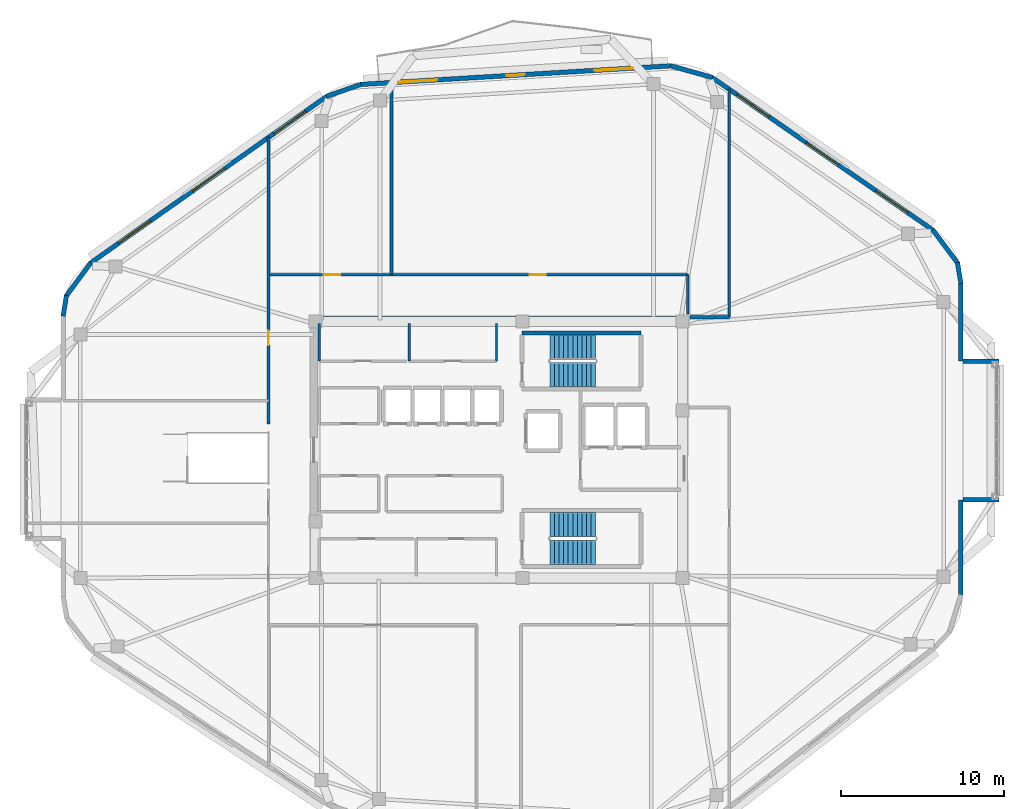
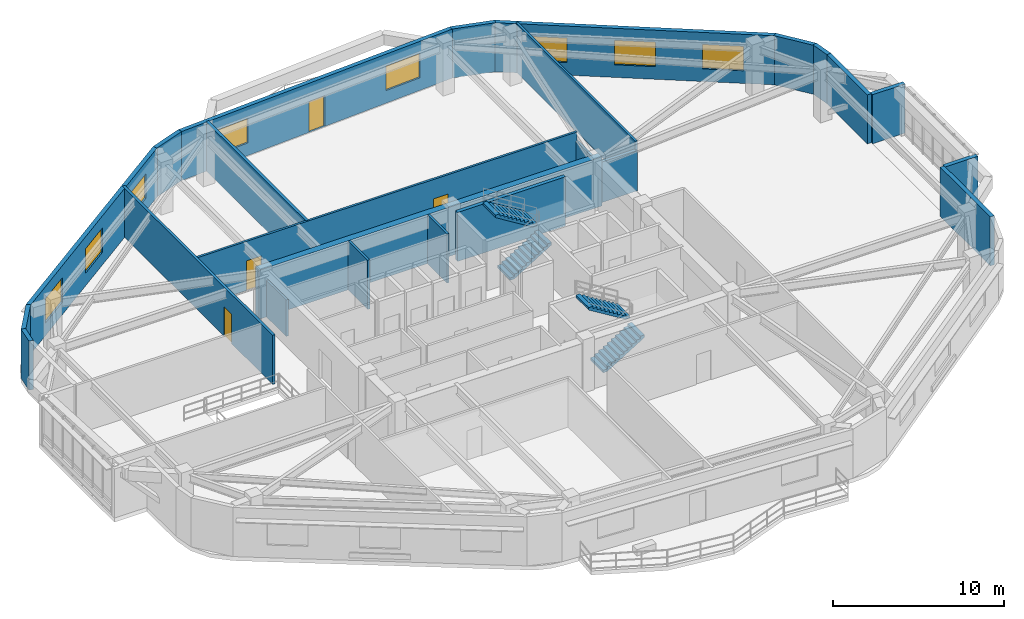
# One storey, part 13 of 16: 24 walls, 8 windows, 4 doors, 4 stair flights, 12 openings, 2 elements without a shape of their own.
"""IFC4 building model written with IfcOpenShell, lengths in metres."""

from ifc_helpers import new_model, si_unit, direction, frame, frame_2d, origin, place, context, subcontext, project, spatial, polyline, rectangle, outline, extrude, material, layer, layer_set, type_object, element, fill, aggregate, save


model = new_model("IFC4")

# Units and contexts
model_context = context("Model", 3, precision=1e-05, world=origin(), true_north=direction((0.0, 1.0)))
body_context = subcontext(model_context, "Body", "Model", "MODEL_VIEW")
ifc_project = project(units=[si_unit("LENGTHUNIT", "METRE"), si_unit("AREAUNIT", "SQUARE_METRE"), si_unit("VOLUMEUNIT", "CUBIC_METRE"), si_unit("PLANEANGLEUNIT", "RADIAN"), si_unit("MASSUNIT", "GRAM", prefix="KILO")], contexts=[model_context])

# Site, building, storey
site_placement = place(None, origin())
site = spatial("IfcSite", under=ifc_project, at=site_placement, CompositionType="ELEMENT")
building_placement = place(site_placement, origin())
building = spatial("IfcBuilding", under=site, at=building_placement, Name="Zulverin Broadcast Headquarters", CompositionType="ELEMENT")
storey_placement = place(building_placement, frame((0.0, 0.0, 228.800048828125)))
storey = spatial("IfcBuildingStorey", under=building, at=storey_placement, Name="L58", CompositionType="ELEMENT", Elevation=228.800048828125)

# Walls
ifc_material_1 = material(Name="Acoustic drywall steel stud", Category="steel")
ifc_layer_1 = layer(ifc_material_1, 0.199951171875, Name="Acoustic drywall steel stud", Category="steel")
ifc_layer_set_1 = layer_set([ifc_layer_1], Name="Acoustic drywall steel stud")
wall_type_1 = type_object("IfcWallType", Name="WL-ACOU-200", PredefinedType="PARTITIONING", material=ifc_layer_set_1)
wall_1_placement = place(storey_placement, frame((30.39990234375, 35.949951171875, 0.0), z_axis=(0.0, 0.0, 1.0), x_axis=(0.0, 1.0, 0.0)))
element("IfcWall", 1, at=wall_1_placement, inside=storey, type_object=wall_type_1, Name="L58 Room Partition Wall RP-06", PredefinedType="PARTITIONING", context=body_context, shape_type="SweptSolid", body=[
    extrude(rectangle(XDim=11.730224609375, YDim=0.199951171875, at=frame_2d((5.865234375, 0.0))), origin(), (0.0, 0.0, 1.0), 3.510009765625),
])
ifc_material_2 = material(Name="Double-stud acoustic drywall", Category="gypsum")
ifc_layer_2 = layer(ifc_material_2, 0.219970703125, Name="Double-stud acoustic drywall", Category="gypsum")
ifc_layer_set_2 = layer_set([ifc_layer_2], Name="Double-stud acoustic drywall")
wall_type_2 = type_object("IfcWallType", Name="WL-ACOU-220", PredefinedType="PARTITIONING", material=ifc_layer_set_2)
wall_2_placement = place(storey_placement, frame((48.739990234375, 33.35009765625, 0.0), z_axis=(0.0, 0.0, 1.0), x_axis=(1.0, 0.0, 0.0)))
element("IfcWall", 2, at=wall_2_placement, inside=storey, type_object=wall_type_2, Name="L58 Room Partition Wall RP-14", PredefinedType="PARTITIONING", context=body_context, shape_type="SweptSolid", body=[
    extrude(rectangle(XDim=2.409912109375, YDim=0.219970703125, at=frame_2d((1.205078125, 0.0))), origin(), (0.0, 0.0, 1.0), 2.892822265625),
])
ifc_material_3 = material(Name="Concrete C50/60", Category="concrete")
ifc_layer_3 = layer(ifc_material_3, 0.449951171875, Name="Concrete C50/60", Category="concrete")
ifc_layer_set_3 = layer_set([ifc_layer_3], Name="Concrete C50/60")
wall_type_3 = type_object("IfcWallType", Name="WL-CORE-450", PredefinedType="SHEAR", material=ifc_layer_set_3)
wall_3_placement = place(storey_placement, frame((25.39990234375, 33.175048828125, 0.0), z_axis=(0.0, 0.0, 1.0), x_axis=(1.0, 0.0, 0.0)))
element("IfcWall", 3, at=wall_3_placement, inside=storey, type_object=wall_type_3, Name="L58 Core North Shear Wall", PredefinedType="SHEAR", context=body_context, shape_type="SweptSolid", body=[
    extrude(rectangle(XDim=23.2001953125, YDim=0.449951171875, at=frame_2d((11.60009765625, 0.0))), origin(), (0.0, 0.0, 1.0), 3.510009765625),
])
ifc_material_4 = material(Name="Insulated pale-metal clad concrete spandrel C40/50", Category="concrete")
ifc_layer_4 = layer(ifc_material_4, 0.280029296875, Name="Insulated pale-metal clad concrete spandrel C40/50", Category="concrete")
ifc_layer_set_4 = layer_set([ifc_layer_4], Name="Insulated pale-metal clad concrete spandrel C40/50")
wall_type_4 = type_object("IfcWallType", Name="WL-EXT-280", PredefinedType="STANDARD", material=ifc_layer_set_4)
wall_4_placement = place(storey_placement, frame((65.360107421875, 16.2578125, 0.0), z_axis=(0.0, 0.0, 1.0), x_axis=(0.0, 1.0, 0.0)))
element("IfcWall", 4, at=wall_4_placement, inside=storey, type_object=wall_type_4, Name="L58 Pale-Metal Clad Flanking Spandrel Wall 3-1", PredefinedType="STANDARD", context=body_context, shape_type="SweptSolid", body=[
    extrude(rectangle(XDim=5.8720703125, YDim=0.280029296875, at=frame_2d((2.93603515625, 0.0))), origin(), (0.0, 0.0, 1.0), 3.510009765625),
])
wall_5_placement = place(storey_placement, frame((65.360107421875, 30.64990234375, 0.0), z_axis=(0.0, 0.0, 1.0), x_axis=(0.0, 1.0, 0.0)))
element("IfcWall", 5, at=wall_5_placement, inside=storey, type_object=wall_type_4, Name="L58 Pale-Metal Clad Flanking Spandrel Wall 3-2", PredefinedType="STANDARD", context=body_context, shape_type="SweptSolid", body=[
    extrude(rectangle(XDim=4.77587890625, YDim=0.280029296875, at=frame_2d((2.387939453125, 0.0))), origin(), (0.0, 0.0, 1.0), 3.510009765625),
])

# Wall, openings, windows
wall_6_placement = place(storey_placement, frame((63.6513671875, 38.683349609375, 0.0), z_axis=(0.0, 0.0, 1.0), x_axis=(-0.822655095, 0.568540759022, 0.0)))
wall_6 = element("IfcWall", 6, at=wall_6_placement, inside=storey, type_object=wall_type_4, Name="L58 Pale-Metal Clad Spandrel Wall 4", PredefinedType="STANDARD", context=body_context, shape_type="SweptSolid", body=[
    extrude(rectangle(XDim=16.52783203125, YDim=0.280029296875, at=frame_2d((8.263916015625, 0.0))), origin(), (0.0, 0.0, 1.0), 3.510009765625),
])
opening_1_placement = place(wall_6_placement, frame((1.887939453125, 0.0, 0.89990234375)))
opening_1 = element("IfcOpeningElement", 7, at=opening_1_placement, cuts=wall_6, Name="Opening W-L58-E41", PredefinedType="OPENING", context=body_context, shape_type="SweptSolid", body=[
    extrude(rectangle(XDim=2.39990234375, YDim=1.75, at=frame_2d((1.199951171875, 0.875))), frame((0.0, 0.14990234375, 0.0), z_axis=(0.0, -1.0, 0.0), x_axis=(1.0, 0.0, 0.0)), (0.0, 0.0, 1.0), 0.300048828125),
])
opening_2_placement = place(wall_6_placement, frame((7.06396484375, 0.0, 0.89990234375)))
opening_2 = element("IfcOpeningElement", 8, at=opening_2_placement, cuts=wall_6, Name="Opening W-L58-E42", PredefinedType="OPENING", context=body_context, shape_type="SweptSolid", body=[
    extrude(rectangle(XDim=2.39990234375, YDim=1.75, at=frame_2d((1.199951171875, 0.875))), frame((0.0, 0.14990234375, 0.0), z_axis=(0.0, -1.0, 0.0), x_axis=(1.0, 0.0, 0.0)), (0.0, 0.0, 1.0), 0.300048828125),
])
opening_3_placement = place(wall_6_placement, frame((12.239990234375, 0.0, 0.89990234375)))
opening_3 = element("IfcOpeningElement", 9, at=opening_3_placement, cuts=wall_6, Name="Opening W-L58-E43", PredefinedType="OPENING", context=body_context, shape_type="SweptSolid", body=[
    extrude(rectangle(XDim=2.39990234375, YDim=1.75, at=frame_2d((1.199951171875, 0.875))), frame((0.0, 0.14990234375, 0.0), z_axis=(0.0, -1.0, 0.0), x_axis=(1.0, 0.0, 0.0)), (0.0, 0.0, 1.0), 0.300048828125),
])
ifc_material_5 = material(Name="Pale anodized aluminium frame with solar-control low-E double glazing", Category="aluminium")
window_type = type_object("IfcWindowType", Name="WIN-RIB-2400", PartitioningType="SINGLE_PANEL", PredefinedType="WINDOW", material=ifc_material_5)
window_1_placement = place(opening_1_placement, origin())
window_1 = element("IfcWindow", 10, at=window_1_placement, inside=storey, type_object=window_type, Name="L58 Ribbon Glazing Window 4 1", OverallHeight=1.75, OverallWidth=2.39990234375, PartitioningType="SINGLE_PANEL", PredefinedType="WINDOW", context=body_context, shape_type="SweptSolid", body=[
    extrude(rectangle(XDim=2.39990234375, YDim=1.75, at=frame_2d((1.199951171875, 0.875))), frame((0.0, 0.030029296875, 0.0), z_axis=(0.0, -1.0, 0.0), x_axis=(1.0, 0.0, 0.0)), (0.0, 0.0, 1.0), 0.06005859375),
])
fill(opening_1, window_1)
window_2_placement = place(opening_2_placement, origin())
window_2 = element("IfcWindow", 11, at=window_2_placement, inside=storey, type_object=window_type, Name="L58 Ribbon Glazing Window 4 2", OverallHeight=1.75, OverallWidth=2.39990234375, PartitioningType="SINGLE_PANEL", PredefinedType="WINDOW", context=body_context, shape_type="SweptSolid", body=[
    extrude(rectangle(XDim=2.39990234375, YDim=1.75, at=frame_2d((1.199951171875, 0.875))), frame((0.0, 0.030029296875, 0.0), z_axis=(0.0, -1.0, 0.0), x_axis=(1.0, 0.0, 0.0)), (0.0, 0.0, 1.0), 0.06005859375),
])
fill(opening_2, window_2)
window_3_placement = place(opening_3_placement, origin())
window_3 = element("IfcWindow", 12, at=window_3_placement, inside=storey, type_object=window_type, Name="L58 Ribbon Glazing Window 4 3", OverallHeight=1.75, OverallWidth=2.39990234375, PartitioningType="SINGLE_PANEL", PredefinedType="WINDOW", context=body_context, shape_type="SweptSolid", body=[
    extrude(rectangle(XDim=2.39990234375, YDim=1.75, at=frame_2d((1.199951171875, 0.875))), frame((0.0, 0.030029296875, 0.0), z_axis=(0.0, -1.0, 0.0), x_axis=(1.0, 0.0, 0.0)), (0.0, 0.0, 1.0), 0.06005859375),
])
fill(opening_3, window_3)

# Wall, openings, door, windows
wall_7_placement = place(storey_placement, frame((47.56591796875, 48.775390625, 0.0), z_axis=(0.0, 0.0, 1.0), x_axis=(-0.998202767485, -0.059926913695, 0.0)))
wall_7 = element("IfcWall", 13, at=wall_7_placement, inside=storey, type_object=wall_type_4, Name="L58 Pale-Metal Clad Spandrel Wall 5", PredefinedType="STANDARD", context=body_context, shape_type="SweptSolid", body=[
    extrude(rectangle(XDim=19.111083984375, YDim=0.280029296875, at=frame_2d((9.5556640625, 0.0))), origin(), (0.0, 0.0, 1.0), 3.510009765625),
])
opening_4_placement = place(wall_7_placement, frame((9.00537109375, 0.0, 0.0)))
opening_4 = element("IfcOpeningElement", 14, at=opening_4_placement, cuts=wall_7, Name="Opening D-L58-TR5", PredefinedType="OPENING", context=body_context, shape_type="SweptSolid", body=[
    extrude(rectangle(XDim=1.10009765625, YDim=2.199951171875, at=frame_2d((0.550048828125, 1.10009765625))), frame((0.0, 0.14990234375, 0.0), z_axis=(0.0, -1.0, 0.0), x_axis=(1.0, 0.0, 0.0)), (0.0, 0.0, 1.0), 0.300048828125),
])
opening_5_placement = place(wall_7_placement, frame((2.318603515625, 0.0, 0.89990234375)))
opening_5 = element("IfcOpeningElement", 15, at=opening_5_placement, cuts=wall_7, Name="Opening W-L58-E51", PredefinedType="OPENING", context=body_context, shape_type="SweptSolid", body=[
    extrude(rectangle(XDim=2.39990234375, YDim=1.75, at=frame_2d((1.199951171875, 0.875))), frame((0.0, 0.14990234375, 0.0), z_axis=(0.0, -1.0, 0.0), x_axis=(1.0, 0.0, 0.0)), (0.0, 0.0, 1.0), 0.300048828125),
])
opening_6_placement = place(wall_7_placement, frame((14.392333984375, 0.0, 0.89990234375)))
opening_6 = element("IfcOpeningElement", 16, at=opening_6_placement, cuts=wall_7, Name="Opening W-L58-E52", PredefinedType="OPENING", context=body_context, shape_type="SweptSolid", body=[
    extrude(rectangle(XDim=2.39990234375, YDim=1.75, at=frame_2d((1.199951171875, 0.875))), frame((0.0, 0.14990234375, 0.0), z_axis=(0.0, -1.0, 0.0), x_axis=(1.0, 0.0, 0.0)), (0.0, 0.0, 1.0), 0.300048828125),
])
ifc_material_6 = material(Name="Thermally broken aluminium glazed", Category="aluminium")
door_type_1 = type_object("IfcDoorType", Name="DR-TERR-1100", OperationType="SINGLE_SWING_RIGHT", PredefinedType="DOOR", material=ifc_material_6)
door_1_placement = place(opening_4_placement, origin())
door_1 = element("IfcDoor", 17, at=door_1_placement, inside=storey, type_object=door_type_1, Name="L58 Planted Terrace Glazed Access Door 5", OperationType="SINGLE_SWING_RIGHT", OverallHeight=2.199951171875, OverallWidth=1.10009765625, PredefinedType="DOOR", context=body_context, shape_type="SweptSolid", body=[
    extrude(rectangle(XDim=1.10009765625, YDim=2.199951171875, at=frame_2d((0.550048828125, 1.10009765625))), frame((0.0, 0.02490234375, 0.0), z_axis=(0.0, -1.0, 0.0), x_axis=(1.0, 0.0, 0.0)), (0.0, 0.0, 1.0), 0.050048828125),
])
fill(opening_4, door_1)
window_4_placement = place(opening_5_placement, origin())
window_4 = element("IfcWindow", 18, at=window_4_placement, inside=storey, type_object=window_type, Name="L58 Ribbon Glazing Window 5 1", OverallHeight=1.75, OverallWidth=2.39990234375, PartitioningType="SINGLE_PANEL", PredefinedType="WINDOW", context=body_context, shape_type="SweptSolid", body=[
    extrude(rectangle(XDim=2.39990234375, YDim=1.75, at=frame_2d((1.199951171875, 0.875))), frame((0.0, 0.030029296875, 0.0), z_axis=(0.0, -1.0, 0.0), x_axis=(1.0, 0.0, 0.0)), (0.0, 0.0, 1.0), 0.06005859375),
])
fill(opening_5, window_4)
window_5_placement = place(opening_6_placement, origin())
window_5 = element("IfcWindow", 19, at=window_5_placement, inside=storey, type_object=window_type, Name="L58 Ribbon Glazing Window 5 2", OverallHeight=1.75, OverallWidth=2.39990234375, PartitioningType="SINGLE_PANEL", PredefinedType="WINDOW", context=body_context, shape_type="SweptSolid", body=[
    extrude(rectangle(XDim=2.39990234375, YDim=1.75, at=frame_2d((1.199951171875, 0.875))), frame((0.0, 0.030029296875, 0.0), z_axis=(0.0, -1.0, 0.0), x_axis=(1.0, 0.0, 0.0)), (0.0, 0.0, 1.0), 0.06005859375),
])
fill(opening_6, window_5)

# Wall, openings, windows
wall_8_placement = place(storey_placement, frame((26.443115234375, 46.91259765625, 0.0), z_axis=(0.0, 0.0, 1.0), x_axis=(-0.817024179766, -0.576603407619, 0.0)))
wall_8 = element("IfcWall", 20, at=wall_8_placement, inside=storey, type_object=wall_type_4, Name="L58 Pale-Metal Clad Spandrel Wall 6", PredefinedType="STANDARD", context=body_context, shape_type="SweptSolid", body=[
    extrude(rectangle(XDim=17.77978515625, YDim=0.280029296875, at=frame_2d((8.889892578125, 0.0))), origin(), (0.0, 0.0, 1.0), 3.510009765625),
])
opening_7_placement = place(wall_8_placement, frame((1.5966796875, 0.0, 0.89990234375)))
opening_7 = element("IfcOpeningElement", 21, at=opening_7_placement, cuts=wall_8, Name="Opening W-L58-E61", PredefinedType="OPENING", context=body_context, shape_type="SweptSolid", body=[
    extrude(rectangle(XDim=2.39990234375, YDim=1.75, at=frame_2d((1.199951171875, 0.875))), frame((0.0, 0.14990234375, 0.0), z_axis=(0.0, -1.0, 0.0), x_axis=(1.0, 0.0, 0.0)), (0.0, 0.0, 1.0), 0.300048828125),
])
opening_8_placement = place(wall_8_placement, frame((7.68994140625, 0.0, 0.89990234375)))
opening_8 = element("IfcOpeningElement", 22, at=opening_8_placement, cuts=wall_8, Name="Opening W-L58-E62", PredefinedType="OPENING", context=body_context, shape_type="SweptSolid", body=[
    extrude(rectangle(XDim=2.39990234375, YDim=1.75, at=frame_2d((1.199951171875, 0.875))), frame((0.0, 0.14990234375, 0.0), z_axis=(0.0, -1.0, 0.0), x_axis=(1.0, 0.0, 0.0)), (0.0, 0.0, 1.0), 0.300048828125),
])
opening_9_placement = place(wall_8_placement, frame((13.283203125, 0.0, 0.89990234375)))
opening_9 = element("IfcOpeningElement", 23, at=opening_9_placement, cuts=wall_8, Name="Opening W-L58-E63", PredefinedType="OPENING", context=body_context, shape_type="SweptSolid", body=[
    extrude(rectangle(XDim=2.39990234375, YDim=1.75, at=frame_2d((1.199951171875, 0.875))), frame((0.0, 0.14990234375, 0.0), z_axis=(0.0, -1.0, 0.0), x_axis=(1.0, 0.0, 0.0)), (0.0, 0.0, 1.0), 0.300048828125),
])
window_6_placement = place(opening_7_placement, origin())
window_6 = element("IfcWindow", 24, at=window_6_placement, inside=storey, type_object=window_type, Name="L58 Ribbon Glazing Window 6 1", OverallHeight=1.75, OverallWidth=2.39990234375, PartitioningType="SINGLE_PANEL", PredefinedType="WINDOW", context=body_context, shape_type="SweptSolid", body=[
    extrude(rectangle(XDim=2.39990234375, YDim=1.75, at=frame_2d((1.199951171875, 0.875))), frame((0.0, 0.030029296875, 0.0), z_axis=(0.0, -1.0, 0.0), x_axis=(1.0, 0.0, 0.0)), (0.0, 0.0, 1.0), 0.06005859375),
])
fill(opening_7, window_6)
window_7_placement = place(opening_8_placement, origin())
window_7 = element("IfcWindow", 25, at=window_7_placement, inside=storey, type_object=window_type, Name="L58 Ribbon Glazing Window 6 2", OverallHeight=1.75, OverallWidth=2.39990234375, PartitioningType="SINGLE_PANEL", PredefinedType="WINDOW", context=body_context, shape_type="SweptSolid", body=[
    extrude(rectangle(XDim=2.39990234375, YDim=1.75, at=frame_2d((1.199951171875, 0.875))), frame((0.0, 0.030029296875, 0.0), z_axis=(0.0, -1.0, 0.0), x_axis=(1.0, 0.0, 0.0)), (0.0, 0.0, 1.0), 0.06005859375),
])
fill(opening_8, window_7)
window_8_placement = place(opening_9_placement, origin())
window_8 = element("IfcWindow", 26, at=window_8_placement, inside=storey, type_object=window_type, Name="L58 Ribbon Glazing Window 6 3", OverallHeight=1.75, OverallWidth=2.39990234375, PartitioningType="SINGLE_PANEL", PredefinedType="WINDOW", context=body_context, shape_type="SweptSolid", body=[
    extrude(rectangle(XDim=2.39990234375, YDim=1.75, at=frame_2d((1.199951171875, 0.875))), frame((0.0, 0.030029296875, 0.0), z_axis=(0.0, -1.0, 0.0), x_axis=(1.0, 0.0, 0.0)), (0.0, 0.0, 1.0), 0.06005859375),
])
fill(opening_9, window_8)

# Walls
wall_9_placement = place(storey_placement, frame((65.36181640625, 35.4033203125, 0.0), z_axis=(0.0, 0.0, 1.0), x_axis=(-0.160271674114, 0.987072940809, 0.0)))
element("IfcWall", 27, at=wall_9_placement, inside=storey, type_object=wall_type_4, Name="L58 Wind-Shaped Corner Spandrel Wall 3-1", PredefinedType="STANDARD", context=body_context, shape_type="SweptSolid", body=[
    extrude(rectangle(XDim=1.314697265625, YDim=0.280029296875, at=frame_2d((0.6572265625, 0.0))), origin(), (0.0, 0.0, 1.0), 3.510009765625),
])
wall_10_placement = place(storey_placement, frame((65.17724609375, 36.63916015625, 0.0), z_axis=(0.0, 0.0, 1.0), x_axis=(-0.600436386467, 0.799672524104, 0.0)))
element("IfcWall", 28, at=wall_10_placement, inside=storey, type_object=wall_type_4, Name="L58 Wind-Shaped Corner Spandrel Wall 3-2", PredefinedType="STANDARD", context=body_context, shape_type="SweptSolid", body=[
    extrude(rectangle(XDim=2.595458984375, YDim=0.280029296875, at=frame_2d((1.2978515625, 0.0))), origin(), (0.0, 0.0, 1.0), 3.510009765625),
])
wall_11_placement = place(storey_placement, frame((50.096435546875, 48.060546875, 0.0), z_axis=(0.0, 0.0, 1.0), x_axis=(-0.963108887091, 0.269112005688, 0.0)))
element("IfcWall", 29, at=wall_11_placement, inside=storey, type_object=wall_type_4, Name="L58 Wind-Shaped Corner Spandrel Wall 4-1", PredefinedType="STANDARD", context=body_context, shape_type="SweptSolid", body=[
    extrude(rectangle(XDim=2.67529296875, YDim=0.280029296875, at=frame_2d((1.337646484375, 0.0))), origin(), (0.0, 0.0, 1.0), 3.510009765625),
])
wall_12_placement = place(storey_placement, frame((28.527099609375, 47.6376953125, 0.0), z_axis=(0.0, 0.0, 1.0), x_axis=(-0.943686979207, -0.330839667022, 0.0)))
element("IfcWall", 30, at=wall_12_placement, inside=storey, type_object=wall_type_4, Name="L58 Wind-Shaped Corner Spandrel Wall 5-1", PredefinedType="STANDARD", context=body_context, shape_type="SweptSolid", body=[
    extrude(rectangle(XDim=2.244873046875, YDim=0.280029296875, at=frame_2d((1.12255859375, 0.0))), origin(), (0.0, 0.0, 1.0), 3.510009765625),
])
wall_13_placement = place(storey_placement, frame((11.948486328125, 36.69189453125, 0.0), z_axis=(0.0, 0.0, 1.0), x_axis=(-0.595170751493, -0.803599263668, 0.0)))
element("IfcWall", 31, at=wall_13_placement, inside=storey, type_object=wall_type_4, Name="L58 Wind-Shaped Corner Spandrel Wall 6-1", PredefinedType="STANDARD", context=body_context, shape_type="SweptSolid", body=[
    extrude(rectangle(XDim=2.56982421875, YDim=0.280029296875, at=frame_2d((1.284912109375, 0.0))), origin(), (0.0, 0.0, 1.0), 3.510009765625),
])
wall_14_placement = place(storey_placement, frame((10.444580078125, 34.68798828125, 0.0), z_axis=(0.0, 0.0, 1.0), x_axis=(-0.158524605336, -0.987355027081, 0.0)))
element("IfcWall", 32, at=wall_14_placement, inside=storey, type_object=wall_type_4, Name="L58 Wind-Shaped Corner Spandrel Wall 6-2", PredefinedType="STANDARD", context=body_context, shape_type="SweptSolid", body=[
    extrude(rectangle(XDim=1.30126953125, YDim=0.280029296875, at=frame_2d((0.650634765625, 0.0))), origin(), (0.0, 0.0, 1.0), 3.510009765625),
])
for number, where, z_axis, x_axis, name in (
    (33, (65.5, 22.1298828125, 0.0), (0.0, 0.0, 1.0), (1.0, 0.0, 0.0), "L58 Shifted Studio Box Cheek Wall SBOX_SKY2_E-S"),
    (34, (65.5, 30.64990234375, 0.0), (0.0, 0.0, 1.0), (1.0, 0.0, 0.0), "L58 Shifted Studio Box Cheek Wall SBOX_SKY2_E-N"),
):
    element("IfcWall", number, at=place(storey_placement, frame(where, z_axis=z_axis, x_axis=x_axis)), inside=storey, type_object=wall_type_4, Name=name, PredefinedType="STANDARD", context=body_context, shape_type="SweptSolid", body=[
        extrude(rectangle(XDim=2.199951171875, YDim=0.280029296875, at=frame_2d((1.10009765625, 0.0))), origin(), (0.0, 0.0, 1.0), 3.510009765625),
    ])
ifc_material_7 = material(Name="Fire-rated gypsum stud partition", Category="gypsum")
ifc_layer_5 = layer(ifc_material_7, 0.14990234375, Name="Fire-rated gypsum stud partition", Category="gypsum")
ifc_layer_set_5 = layer_set([ifc_layer_5], Name="Fire-rated gypsum stud partition")
wall_type_5 = type_object("IfcWallType", Name="WL-PART-150", PredefinedType="PARTITIONING", material=ifc_layer_set_5)
wall_15_placement = place(storey_placement, frame((25.969970703125, 30.64990234375, 0.0), z_axis=(0.0, 0.0, 1.0), x_axis=(0.0, 1.0, 0.0)))
element("IfcWall", 35, at=wall_15_placement, inside=storey, type_object=wall_type_5, Name="L58 Core Male WC West Wall", PredefinedType="PARTITIONING", context=body_context, shape_type="SweptSolid", body=[
    extrude(rectangle(XDim=2.300048828125, YDim=0.14990234375, at=frame_2d((1.14990234375, 0.0))), origin(), (0.0, 0.0, 1.0), 2.60986328125),
])
for number, where, z_axis, x_axis, name in (
    (36, (31.489990234375, 30.64990234375, 0.0), (0.0, 0.0, 1.0), (0.0, 1.0, 0.0), "L58 Core Accessible WC West Wall"),
    (37, (36.85009765625, 30.64990234375, 0.0), (0.0, 0.0, 1.0), (0.0, 1.0, 0.0), "L58 Core Accessible WC East Wall"),
):
    element("IfcWall", number, at=place(storey_placement, frame(where, z_axis=z_axis, x_axis=x_axis)), inside=storey, type_object=wall_type_5, Name=name, PredefinedType="PARTITIONING", context=body_context, shape_type="SweptSolid", body=[
        extrude(rectangle(XDim=2.300048828125, YDim=0.14990234375, at=frame_2d((1.14990234375, 0.0))), origin(), (0.0, 0.0, 1.0), 3.510009765625),
    ])
wall_16_placement = place(storey_placement, frame((51.14990234375, 33.35009765625, 0.0), z_axis=(0.0, 0.0, 1.0), x_axis=(0.0, 1.0, 0.0)))
element("IfcWall", 38, at=wall_16_placement, inside=storey, type_object=wall_type_5, Name="L58 Room Partition Wall RP-02", PredefinedType="PARTITIONING", context=body_context, shape_type="SweptSolid", body=[
    extrude(rectangle(XDim=14.00341796875, YDim=0.14990234375, at=frame_2d((7.001708984375, 0.0))), origin(), (0.0, 0.0, 1.0), 3.510009765625),
])
wall_17_placement = place(storey_placement, frame((48.60009765625, 33.5400390625, 0.0), z_axis=(0.0, 0.0, 1.0), x_axis=(0.0, 1.0, 0.0)))
element("IfcWall", 39, at=wall_17_placement, inside=storey, type_object=wall_type_5, Name="L58 Gallery Partition Wall CG-03", PredefinedType="PARTITIONING", context=body_context, shape_type="SweptSolid", body=[
    extrude(rectangle(XDim=2.409912109375, YDim=0.14990234375, at=frame_2d((1.205078125, 0.0))), origin(), (0.0, 0.0, 1.0), 2.892822265625),
])

# Wall, openings, doors
wall_18_placement = place(storey_placement, frame((22.85009765625, 35.949951171875, 0.0), z_axis=(0.0, 0.0, 1.0), x_axis=(1.0, 0.0, 0.0)))
wall_18 = element("IfcWall", 40, at=wall_18_placement, inside=storey, type_object=wall_type_5, Name="L58 Gallery Partition Wall CG-15", PredefinedType="PARTITIONING", context=body_context, shape_type="SweptSolid", body=[
    extrude(rectangle(XDim=25.75, YDim=0.14990234375, at=frame_2d((12.875, 0.0))), origin(), (0.0, 0.0, 1.0), 3.510009765625),
])
opening_10_placement = place(wall_18_placement, frame((3.39501953125, 0.0, 0.0)))
opening_10 = element("IfcOpeningElement", 41, at=opening_10_placement, cuts=wall_18, Name="Opening D-L58-01", PredefinedType="OPENING", context=body_context, shape_type="SweptSolid", body=[
    extrude(rectangle(XDim=1.0, YDim=2.1201171875, at=frame_2d((0.5, 1.06005859375))), frame((0.0, 0.0849609375, 0.0), z_axis=(0.0, -1.0, 0.0), x_axis=(1.0, 0.0, 0.0)), (0.0, 0.0, 1.0), 0.169921875),
])
opening_11_placement = place(wall_18_placement, frame((16.030029296875, 0.0, 0.0)))
opening_11 = element("IfcOpeningElement", 42, at=opening_11_placement, cuts=wall_18, Name="Opening D-L58-02", PredefinedType="OPENING", context=body_context, shape_type="SweptSolid", body=[
    extrude(rectangle(XDim=1.0, YDim=2.1201171875, at=frame_2d((0.5, 1.06005859375))), frame((0.0, 0.0849609375, 0.0), z_axis=(0.0, -1.0, 0.0), x_axis=(1.0, 0.0, 0.0)), (0.0, 0.0, 1.0), 0.169921875),
])
ifc_material_8 = material(Name="Hardwood veneer acoustic leaf", Category="wood")
door_type_2 = type_object("IfcDoorType", Name="DR-OFF-1000", OperationType="SINGLE_SWING_LEFT", PredefinedType="DOOR", material=ifc_material_8)
door_2_placement = place(opening_10_placement, origin())
door_2 = element("IfcDoor", 43, at=door_2_placement, inside=storey, type_object=door_type_2, Name="L58 Executive Producer Office Door", OperationType="SINGLE_SWING_RIGHT", OverallHeight=2.1201171875, OverallWidth=1.0, PredefinedType="DOOR", context=body_context, shape_type="SweptSolid", body=[
    extrude(rectangle(XDim=1.0, YDim=2.1201171875, at=frame_2d((0.5, 1.06005859375))), frame((0.0, 0.02490234375, 0.0), z_axis=(0.0, -1.0, 0.0), x_axis=(1.0, 0.0, 0.0)), (0.0, 0.0, 1.0), 0.050048828125),
])
fill(opening_10, door_2)
door_3_placement = place(opening_11_placement, origin())
door_3 = element("IfcDoor", 44, at=door_3_placement, inside=storey, type_object=door_type_2, Name="L58 Editorial Director Office Door", OperationType="SINGLE_SWING_LEFT", OverallHeight=2.1201171875, OverallWidth=1.0, PredefinedType="DOOR", context=body_context, shape_type="SweptSolid", body=[
    extrude(rectangle(XDim=1.0, YDim=2.1201171875, at=frame_2d((0.5, 1.06005859375))), frame((0.0, 0.02490234375, 0.0), z_axis=(0.0, -1.0, 0.0), x_axis=(1.0, 0.0, 0.0)), (0.0, 0.0, 1.0), 0.050048828125),
])
fill(opening_11, door_3)

# Wall, opening, door
ifc_material_9 = material(Name="Fire-rated acoustic stud wall", Category="gypsum")
ifc_layer_6 = layer(ifc_material_9, 0.175048828125, Name="Fire-rated acoustic stud wall", Category="gypsum")
ifc_layer_set_6 = layer_set([ifc_layer_6], Name="Fire-rated acoustic stud wall")
wall_type_6 = type_object("IfcWallType", Name="WL-PART-175", PredefinedType="PARTITIONING", material=ifc_layer_set_6)
wall_19_placement = place(storey_placement, frame((22.85009765625, 26.800048828125, 0.0), z_axis=(0.0, 0.0, 1.0), x_axis=(0.0, 1.0, 0.0)))
wall_19 = element("IfcWall", 45, at=wall_19_placement, inside=storey, type_object=wall_type_6, Name="L58 Gallery Partition Wall CG-08", PredefinedType="PARTITIONING", context=body_context, shape_type="SweptSolid", body=[
    extrude(rectangle(XDim=17.608154296875, YDim=0.175048828125, at=frame_2d((8.80419921875, 0.0))), origin(), (0.0, 0.0, 1.0), 3.510009765625),
])
opening_12_placement = place(wall_19_placement, frame((4.824951171875, 0.0, 0.0)))
opening_12 = element("IfcOpeningElement", 46, at=opening_12_placement, cuts=wall_19, Name="Opening D-L58-07", PredefinedType="OPENING", context=body_context, shape_type="SweptSolid", body=[
    extrude(rectangle(XDim=0.89990234375, YDim=2.10009765625, at=frame_2d((0.449951171875, 1.050048828125))), frame((0.0, 0.097412109375, 0.0), z_axis=(0.0, -1.0, 0.0), x_axis=(1.0, 0.0, 0.0)), (0.0, 0.0, 1.0), 0.195068359375),
])
ifc_material_10 = material(Name="Fire-rated hardwood veneer timber leaf", Category="wood")
door_type_3 = type_object("IfcDoorType", Name="DR-ROOM-900", OperationType="SINGLE_SWING_RIGHT", PredefinedType="DOOR", material=ifc_material_10)
door_4_placement = place(opening_12_placement, origin())
door_4 = element("IfcDoor", 47, at=door_4_placement, inside=storey, type_object=door_type_3, Name="L58 Tea Pantry Door", OperationType="SINGLE_SWING_RIGHT", OverallHeight=2.10009765625, OverallWidth=0.89990234375, PredefinedType="DOOR", context=body_context, shape_type="SweptSolid", body=[
    extrude(rectangle(XDim=0.89990234375, YDim=2.10009765625, at=frame_2d((0.449951171875, 1.050048828125))), frame((0.0, 0.02490234375, 0.0), z_axis=(0.0, -1.0, 0.0), x_axis=(1.0, 0.0, 0.0)), (0.0, 0.0, 1.0), 0.050048828125),
])
fill(opening_12, door_4)

# Wall
ifc_layer_7 = layer(ifc_material_3, 0.25, Name="Concrete C50/60", Category="concrete")
ifc_layer_set_7 = layer_set([ifc_layer_7], Name="Concrete C50/60")
wall_type_7 = type_object("IfcWallType", Name="WL-SHAFT-250", PredefinedType="SHEAR", material=ifc_layer_set_7)
wall_20_placement = place(storey_placement, frame((38.425048828125, 32.375, 0.0), z_axis=(0.0, 0.0, 1.0), x_axis=(1.0, 0.0, 0.0)))
element("IfcWall", 48, at=wall_20_placement, inside=storey, type_object=wall_type_7, Name="L58 ST-1 Enclosure Wall N", PredefinedType="SHEAR", context=body_context, shape_type="SweptSolid", body=[
    extrude(rectangle(XDim=7.300048828125, YDim=0.25, at=frame_2d((3.64990234375, 0.0))), origin(), (0.0, 0.0, 1.0), 3.510009765625),
])

# Stair, stair flights
ifc_material_11 = material(Name="Concrete C40/50", Category="concrete")
stair_type = type_object("IfcStairType", Name="ST-CORE-1500", PredefinedType="HALF_TURN_STAIR", material=ifc_material_11)
stair_1_placement = place(storey_placement, origin())
stair_1 = element("IfcStair", 49, at=stair_1_placement, inside=storey, type_object=stair_type, Name="L58 Core Exit Stair ST-1", PredefinedType="HALF_TURN_STAIR")
stair_flight_type = type_object("IfcStairFlightType", Name="SF-CORE-1500", PredefinedType="STRAIGHT", material=ifc_material_11)
stair_flight_1_placement = place(storey_placement, frame((40.1298828125, 29.800048828125, 0.0), z_axis=(0.0, 0.0, 1.0), x_axis=(1.0, 0.0, 0.0)))
stair_flight_1 = element("IfcStairFlight", 50, at=stair_flight_1_placement, type_object=stair_flight_type, Name="ST-1 flight 1", NumberOfRisers=11, NumberOfTreads=10, PredefinedType="STRAIGHT", RiserHeight=0.172727273, TreadLength=0.28, context=body_context, shape_type="SweptSolid", body=[
    extrude(outline(polyline([(0.0, 0.0), (0.0, 0.172607421875), (0.280029296875, 0.172607421875), (0.280029296875, 0.345458984375), (0.56005859375, 0.345458984375), (0.56005859375, 0.51806640625), (0.840087890625, 0.51806640625), (0.840087890625, 0.69091796875), (1.1201171875, 0.69091796875), (1.1201171875, 0.863525390625), (1.39990234375, 0.863525390625), (1.39990234375, 1.036376953125), (1.679931640625, 1.036376953125), (1.679931640625, 1.208984375), (1.9599609375, 1.208984375), (1.9599609375, 1.3818359375), (2.239990234375, 1.3818359375), (2.239990234375, 1.554443359375), (2.52001953125, 1.554443359375), (2.52001953125, 1.727294921875), (2.800048828125, 1.727294921875), (2.800048828125, 1.89990234375), (2.800048828125, 1.551025390625), (0.285400390625, 0.0), (0.0, 0.0)])), frame((0.0, 0.75, 0.0), z_axis=(0.0, -1.0, 0.0), x_axis=(1.0, 0.0, 0.0)), (0.0, 0.0, 1.0), 1.5),
])
stair_flight_2_placement = place(storey_placement, frame((42.929931640625, 31.5, 1.89990234375), z_axis=(0.0, 0.0, 1.0), x_axis=(-1.0, 0.0, 0.0)))
stair_flight_2 = element("IfcStairFlight", 51, at=stair_flight_2_placement, type_object=stair_flight_type, Name="ST-1 flight 2", NumberOfRisers=11, NumberOfTreads=10, PredefinedType="STRAIGHT", RiserHeight=0.172727273, TreadLength=0.28, context=body_context, shape_type="SweptSolid", body=[
    extrude(outline(polyline([(0.0, 0.0), (0.0, 0.172607421875), (0.280029296875, 0.172607421875), (0.280029296875, 0.345458984375), (0.56005859375, 0.345458984375), (0.56005859375, 0.51806640625), (0.840087890625, 0.51806640625), (0.840087890625, 0.69091796875), (1.1201171875, 0.69091796875), (1.1201171875, 0.863525390625), (1.39990234375, 0.863525390625), (1.39990234375, 1.036376953125), (1.679931640625, 1.036376953125), (1.679931640625, 1.208984375), (1.9599609375, 1.208984375), (1.9599609375, 1.3818359375), (2.239990234375, 1.3818359375), (2.239990234375, 1.554443359375), (2.52001953125, 1.554443359375), (2.52001953125, 1.727294921875), (2.800048828125, 1.727294921875), (2.800048828125, 1.89990234375), (2.800048828125, 1.551025390625), (0.285400390625, 0.0), (0.0, 0.0)])), frame((0.0, 0.75, 0.0), z_axis=(0.0, -1.0, 0.0), x_axis=(1.0, 0.0, 0.0)), (0.0, 0.0, 1.0), 1.5),
])
aggregate(stair_1, [stair_flight_1, stair_flight_2])

stair_2_placement = place(storey_placement, origin())
stair_2 = element("IfcStair", 52, at=stair_2_placement, inside=storey, type_object=stair_type, Name="L58 Core Exit Stair ST-2", PredefinedType="HALF_TURN_STAIR")
stair_flight_3_placement = place(storey_placement, frame((40.1298828125, 18.89990234375, 0.0), z_axis=(0.0, 0.0, 1.0), x_axis=(1.0, 0.0, 0.0)))
stair_flight_3 = element("IfcStairFlight", 53, at=stair_flight_3_placement, type_object=stair_flight_type, Name="ST-2 flight 1", NumberOfRisers=11, NumberOfTreads=10, PredefinedType="STRAIGHT", RiserHeight=0.172727273, TreadLength=0.28, context=body_context, shape_type="SweptSolid", body=[
    extrude(outline(polyline([(0.0, 0.0), (0.0, 0.172607421875), (0.280029296875, 0.172607421875), (0.280029296875, 0.345458984375), (0.56005859375, 0.345458984375), (0.56005859375, 0.51806640625), (0.840087890625, 0.51806640625), (0.840087890625, 0.69091796875), (1.1201171875, 0.69091796875), (1.1201171875, 0.863525390625), (1.39990234375, 0.863525390625), (1.39990234375, 1.036376953125), (1.679931640625, 1.036376953125), (1.679931640625, 1.208984375), (1.9599609375, 1.208984375), (1.9599609375, 1.3818359375), (2.239990234375, 1.3818359375), (2.239990234375, 1.554443359375), (2.52001953125, 1.554443359375), (2.52001953125, 1.727294921875), (2.800048828125, 1.727294921875), (2.800048828125, 1.89990234375), (2.800048828125, 1.551025390625), (0.285400390625, 0.0), (0.0, 0.0)])), frame((0.0, 0.75, 0.0), z_axis=(0.0, -1.0, 0.0), x_axis=(1.0, 0.0, 0.0)), (0.0, 0.0, 1.0), 1.5),
])
stair_flight_4_placement = place(storey_placement, frame((42.929931640625, 20.60009765625, 1.89990234375), z_axis=(0.0, 0.0, 1.0), x_axis=(-1.0, 0.0, 0.0)))
stair_flight_4 = element("IfcStairFlight", 54, at=stair_flight_4_placement, type_object=stair_flight_type, Name="ST-2 flight 2", NumberOfRisers=11, NumberOfTreads=10, PredefinedType="STRAIGHT", RiserHeight=0.172727273, TreadLength=0.28, context=body_context, shape_type="SweptSolid", body=[
    extrude(outline(polyline([(0.0, 0.0), (0.0, 0.172607421875), (0.280029296875, 0.172607421875), (0.280029296875, 0.345458984375), (0.56005859375, 0.345458984375), (0.56005859375, 0.51806640625), (0.840087890625, 0.51806640625), (0.840087890625, 0.69091796875), (1.1201171875, 0.69091796875), (1.1201171875, 0.863525390625), (1.39990234375, 0.863525390625), (1.39990234375, 1.036376953125), (1.679931640625, 1.036376953125), (1.679931640625, 1.208984375), (1.9599609375, 1.208984375), (1.9599609375, 1.3818359375), (2.239990234375, 1.3818359375), (2.239990234375, 1.554443359375), (2.52001953125, 1.554443359375), (2.52001953125, 1.727294921875), (2.800048828125, 1.727294921875), (2.800048828125, 1.89990234375), (2.800048828125, 1.551025390625), (0.285400390625, 0.0), (0.0, 0.0)])), frame((0.0, 0.75, 0.0), z_axis=(0.0, -1.0, 0.0), x_axis=(1.0, 0.0, 0.0)), (0.0, 0.0, 1.0), 1.5),
])
aggregate(stair_2, [stair_flight_3, stair_flight_4])

save(model, "model.ifc")
